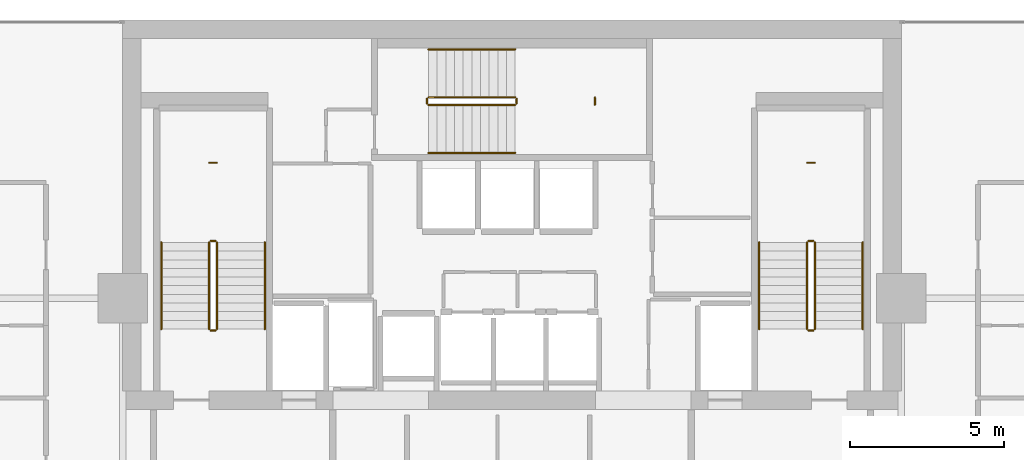
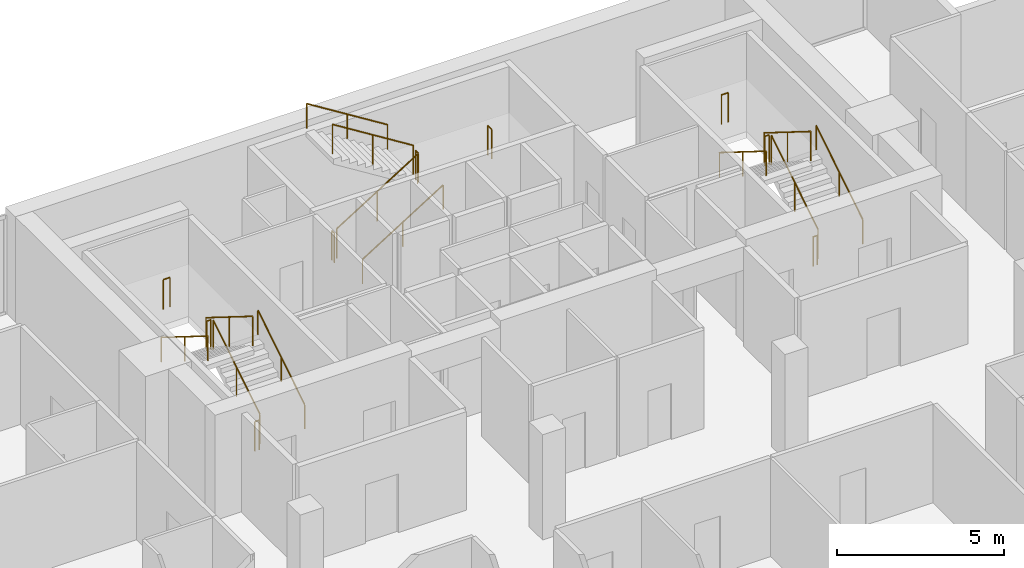
# One storey, part 26 of 26: 21 railings.
"""IFC4 building model written with IfcOpenShell, lengths in metres."""

from ifc_helpers import new_model, si_unit, direction, frame, origin, origin_2d, place, context, subcontext, project, spatial, circle, extrude, material, type_object, element, save


model = new_model("IFC4")

# Units and contexts
model_context = context("Model", 3, precision=1e-05, world=origin(), true_north=direction((0.0, 1.0)))
body_context = subcontext(model_context, "Body", "Model", "MODEL_VIEW")
ifc_project = project(units=[si_unit("LENGTHUNIT", "METRE"), si_unit("AREAUNIT", "SQUARE_METRE"), si_unit("VOLUMEUNIT", "CUBIC_METRE"), si_unit("PLANEANGLEUNIT", "RADIAN"), si_unit("MASSUNIT", "GRAM", prefix="KILO")], contexts=[model_context])

# Site, building, storey
site_placement = place(None, origin())
site = spatial("IfcSite", under=ifc_project, at=site_placement, CompositionType="ELEMENT")
building_placement = place(site_placement, origin())
building = spatial("IfcBuilding", under=site, at=building_placement, Name="Maruvema Waterfront Hotel and Observation Tower", CompositionType="ELEMENT")
storey_placement = place(building_placement, frame((0.0, 0.0, 254.800048828125)))
storey = spatial("IfcBuildingStorey", under=building, at=storey_placement, Name="L62", CompositionType="ELEMENT", Elevation=254.800048828125)

# Railings
ifc_material_1 = material(Name="Brushed stainless steel Grade 316", Category="steel")
railing_type_1 = type_object("IfcRailingType", Name="Ramp Continuous Wall Handrail 920 mm", PredefinedType="HANDRAIL", material=ifc_material_1)
railing_1_placement = place(storey_placement, frame((29.800048828125, 44.0, 0.175048828125)))
element("IfcRailing", 1, at=railing_1_placement, inside=storey, type_object=railing_type_1, Name="L62 ST-01 stair handrail 1", PredefinedType="HANDRAIL", context=body_context, shape_type="SweptSolid", body=[
    extrude(circle(Radius=0.02392578125, at=origin_2d()), frame((0.0, 0.0, 0.89599609375), z_axis=(0.0, 0.848002457836, 0.529992293815), x_axis=(-1.0, 0.0, 0.0)), (0.0, 0.0, 1.0), 3.302001953125),
    extrude(circle(Radius=0.02099609375, at=origin_2d()), origin(), (0.0, 0.0, 1.0), 0.871826171875),
    extrude(circle(Radius=0.02099609375, at=origin_2d()), frame((0.0, 1.39990234375, 0.875)), (0.0, 0.0, 1.0), 0.871826171875),
    extrude(circle(Radius=0.02099609375, at=origin_2d()), frame((0.0, 2.800048828125, 1.75)), (0.0, 0.0, 1.0), 0.871826171875),
])
railing_2_placement = place(storey_placement, frame((26.449951171875, 46.800048828125, 2.099853515625)))
element("IfcRailing", 2, at=railing_2_placement, inside=storey, type_object=railing_type_1, Name="L62 ST-01 stair handrail 2", PredefinedType="HANDRAIL", context=body_context, shape_type="SweptSolid", body=[
    extrude(circle(Radius=0.02392578125, at=origin_2d()), frame((0.0, 0.0, 0.89599609375), z_axis=(0.0, -0.848002457836, 0.529992293815), x_axis=(1.0, 0.0, 0.0)), (0.0, 0.0, 1.0), 3.302001953125),
    extrude(circle(Radius=0.02099609375, at=origin_2d()), origin(), (0.0, 0.0, 1.0), 0.871826171875),
    extrude(circle(Radius=0.02099609375, at=origin_2d()), frame((0.0, -1.39990234375, 0.875)), (0.0, 0.0, 1.0), 0.871826171875),
    extrude(circle(Radius=0.02099609375, at=origin_2d()), frame((0.0, -2.800048828125, 1.75)), (0.0, 0.0, 1.0), 0.871826171875),
])
railing_3_placement = place(storey_placement, frame((35.10009765625, 49.699951171875, 0.175048828125)))
element("IfcRailing", 3, at=railing_3_placement, inside=storey, type_object=railing_type_1, Name="L62 ST-02 stair handrail 1", PredefinedType="HANDRAIL", context=body_context, shape_type="SweptSolid", body=[
    extrude(circle(Radius=0.02392578125, at=origin_2d()), frame((0.0, 0.0, 0.89599609375), z_axis=(0.847981687118, 0.0, 0.530025526095), x_axis=(0.0, 1.0, 0.0)), (0.0, 0.0, 1.0), 3.3017578125),
    extrude(circle(Radius=0.02099609375, at=origin_2d()), origin(), (0.0, 0.0, 1.0), 0.871826171875),
    extrude(circle(Radius=0.02099609375, at=origin_2d()), frame((1.39990234375, 0.0, 0.875)), (0.0, 0.0, 1.0), 0.871826171875),
    extrude(circle(Radius=0.02099609375, at=origin_2d()), frame((2.7998046875, 0.0, 1.75)), (0.0, 0.0, 1.0), 0.871826171875),
])
railing_4_placement = place(storey_placement, frame((37.89990234375, 53.050048828125, 2.099853515625)))
element("IfcRailing", 4, at=railing_4_placement, inside=storey, type_object=railing_type_1, Name="L62 ST-02 stair handrail 2", PredefinedType="HANDRAIL", context=body_context, shape_type="SweptSolid", body=[
    extrude(circle(Radius=0.02392578125, at=origin_2d()), frame((0.0, 0.0, 0.89599609375), z_axis=(-0.847981687118, 0.0, 0.530025526095), x_axis=(0.0, -1.0, 0.0)), (0.0, 0.0, 1.0), 3.3017578125),
    extrude(circle(Radius=0.02099609375, at=origin_2d()), origin(), (0.0, 0.0, 1.0), 0.871826171875),
    extrude(circle(Radius=0.02099609375, at=origin_2d()), frame((-1.39990234375, 0.0, 0.875)), (0.0, 0.0, 1.0), 0.871826171875),
    extrude(circle(Radius=0.02099609375, at=origin_2d()), frame((-2.7998046875, 0.0, 1.75)), (0.0, 0.0, 1.0), 0.871826171875),
])
railing_5_placement = place(storey_placement, frame((49.14990234375, 44.0, 0.175048828125)))
element("IfcRailing", 5, at=railing_5_placement, inside=storey, type_object=railing_type_1, Name="L62 ST-03 stair handrail 1", PredefinedType="HANDRAIL", context=body_context, shape_type="SweptSolid", body=[
    extrude(circle(Radius=0.02392578125, at=origin_2d()), frame((0.0, 0.0, 0.89599609375), z_axis=(0.0, 0.848002457836, 0.529992293815), x_axis=(-1.0, 0.0, 0.0)), (0.0, 0.0, 1.0), 3.302001953125),
    extrude(circle(Radius=0.02099609375, at=origin_2d()), origin(), (0.0, 0.0, 1.0), 0.871826171875),
    extrude(circle(Radius=0.02099609375, at=origin_2d()), frame((0.0, 1.39990234375, 0.875)), (0.0, 0.0, 1.0), 0.871826171875),
    extrude(circle(Radius=0.02099609375, at=origin_2d()), frame((0.0, 2.800048828125, 1.75)), (0.0, 0.0, 1.0), 0.871826171875),
])
railing_6_placement = place(storey_placement, frame((45.800048828125, 46.800048828125, 2.099853515625)))
element("IfcRailing", 6, at=railing_6_placement, inside=storey, type_object=railing_type_1, Name="L62 ST-03 stair handrail 2", PredefinedType="HANDRAIL", context=body_context, shape_type="SweptSolid", body=[
    extrude(circle(Radius=0.02392578125, at=origin_2d()), frame((0.0, 0.0, 0.89599609375), z_axis=(0.0, -0.848002457836, 0.529992293815), x_axis=(1.0, 0.0, 0.0)), (0.0, 0.0, 1.0), 3.302001953125),
    extrude(circle(Radius=0.02099609375, at=origin_2d()), origin(), (0.0, 0.0, 1.0), 0.871826171875),
    extrude(circle(Radius=0.02099609375, at=origin_2d()), frame((0.0, -1.39990234375, 0.875)), (0.0, 0.0, 1.0), 0.871826171875),
    extrude(circle(Radius=0.02099609375, at=origin_2d()), frame((0.0, -2.800048828125, 1.75)), (0.0, 0.0, 1.0), 0.871826171875),
])
ifc_material_2 = material(Name="Brushed stainless steel Grade 316", Category="steel")
railing_type_2 = type_object("IfcRailingType", Name="Ramp and Terrace Guard Balustrade 1100 mm", PredefinedType="BALUSTRADE", material=ifc_material_2)
railing_7_placement = place(storey_placement, frame((28.25, 44.0, 0.175048828125)))
element("IfcRailing", 7, at=railing_7_placement, inside=storey, type_object=railing_type_2, Name="L62 ST-01 stair guard 1", PredefinedType="BALUSTRADE", context=body_context, shape_type="SweptSolid", body=[
    extrude(circle(Radius=0.02392578125, at=origin_2d()), frame((0.0, 0.0, 1.076171875), z_axis=(0.0, 0.848002457836, 0.529992293815), x_axis=(-1.0, 0.0, 0.0)), (0.0, 0.0, 1.0), 3.302001953125),
    extrude(circle(Radius=0.02099609375, at=origin_2d()), origin(), (0.0, 0.0, 1.0), 1.052001953125),
    extrude(circle(Radius=0.02099609375, at=origin_2d()), frame((0.0, 1.39990234375, 0.875)), (0.0, 0.0, 1.0), 1.052001953125),
    extrude(circle(Radius=0.02099609375, at=origin_2d()), frame((0.0, 2.800048828125, 1.75)), (0.0, 0.0, 1.0), 1.052001953125),
])
railing_8_placement = place(storey_placement, frame((28.199951171875, 46.85009765625, 1.925048828125)))
element("IfcRailing", 8, at=railing_8_placement, inside=storey, type_object=railing_type_2, Name="L62 ST-01 stair guard 2", PredefinedType="BALUSTRADE", context=body_context, shape_type="SweptSolid", body=[
    extrude(circle(Radius=0.02392578125, at=origin_2d()), frame((0.0, 0.0, 1.076171875), z_axis=(-1.0, 0.0, 0.0), x_axis=(0.0, -1.0, 0.0)), (0.0, 0.0, 1.0), 0.14990234375),
    extrude(circle(Radius=0.02099609375, at=origin_2d()), origin(), (0.0, 0.0, 1.0), 1.052001953125),
    extrude(circle(Radius=0.02099609375, at=origin_2d()), frame((-0.14990234375, 0.0, 0.0)), (0.0, 0.0, 1.0), 1.052001953125),
])
railing_9_placement = place(storey_placement, frame((28.0, 46.800048828125, 2.099853515625)))
element("IfcRailing", 9, at=railing_9_placement, inside=storey, type_object=railing_type_2, Name="L62 ST-01 stair guard 3", PredefinedType="BALUSTRADE", context=body_context, shape_type="SweptSolid", body=[
    extrude(circle(Radius=0.02392578125, at=origin_2d()), frame((0.0, 0.0, 1.076171875), z_axis=(0.0, -0.848002457836, 0.529992293815), x_axis=(1.0, 0.0, 0.0)), (0.0, 0.0, 1.0), 3.302001953125),
    extrude(circle(Radius=0.02099609375, at=origin_2d()), origin(), (0.0, 0.0, 1.0), 1.052001953125),
    extrude(circle(Radius=0.02099609375, at=origin_2d()), frame((0.0, -1.39990234375, 0.875)), (0.0, 0.0, 1.0), 1.052001953125),
    extrude(circle(Radius=0.02099609375, at=origin_2d()), frame((0.0, -2.800048828125, 1.75)), (0.0, 0.0, 1.0), 1.052001953125),
])
railing_10_placement = place(storey_placement, frame((28.199951171875, 43.949951171875, 0.0)))
element("IfcRailing", 10, at=railing_10_placement, inside=storey, type_object=railing_type_2, Name="L62 ST-01 stair guard 4", PredefinedType="BALUSTRADE", context=body_context, shape_type="SweptSolid", body=[
    extrude(circle(Radius=0.02392578125, at=origin_2d()), frame((0.0, 0.0, 1.076171875), z_axis=(-1.0, 0.0, 0.0), x_axis=(0.0, -1.0, 0.0)), (0.0, 0.0, 1.0), 0.14990234375),
    extrude(circle(Radius=0.02099609375, at=origin_2d()), origin(), (0.0, 0.0, 1.0), 1.052001953125),
    extrude(circle(Radius=0.02099609375, at=origin_2d()), frame((-0.14990234375, 0.0, 0.0)), (0.0, 0.0, 1.0), 1.052001953125),
])
railing_11_placement = place(storey_placement, frame((28.239990234375, 49.3798828125, 1.925048828125)))
element("IfcRailing", 11, at=railing_11_placement, inside=storey, type_object=railing_type_2, Name="L62 ST-01 Half-Landing Slot Guard", PredefinedType="BALUSTRADE", context=body_context, shape_type="SweptSolid", body=[
    extrude(circle(Radius=0.02392578125, at=origin_2d()), frame((0.0, 0.0, 1.076171875), z_axis=(-1.0, 0.0, 0.0), x_axis=(0.0, -1.0, 0.0)), (0.0, 0.0, 1.0), 0.22998046875),
    extrude(circle(Radius=0.02099609375, at=origin_2d()), origin(), (0.0, 0.0, 1.0), 1.052001953125),
    extrude(circle(Radius=0.02099609375, at=origin_2d()), frame((-0.22998046875, 0.0, 0.0)), (0.0, 0.0, 1.0), 1.052001953125),
])
railing_12_placement = place(storey_placement, frame((35.10009765625, 51.25, 0.175048828125)))
element("IfcRailing", 12, at=railing_12_placement, inside=storey, type_object=railing_type_2, Name="L62 ST-02 stair guard 1", PredefinedType="BALUSTRADE", context=body_context, shape_type="SweptSolid", body=[
    extrude(circle(Radius=0.02392578125, at=origin_2d()), frame((0.0, 0.0, 1.076171875), z_axis=(0.847981687118, 0.0, 0.530025526095), x_axis=(0.0, 1.0, 0.0)), (0.0, 0.0, 1.0), 3.3017578125),
    extrude(circle(Radius=0.02099609375, at=origin_2d()), origin(), (0.0, 0.0, 1.0), 1.052001953125),
    extrude(circle(Radius=0.02099609375, at=origin_2d()), frame((1.39990234375, 0.0, 0.875)), (0.0, 0.0, 1.0), 1.052001953125),
    extrude(circle(Radius=0.02099609375, at=origin_2d()), frame((2.7998046875, 0.0, 1.75)), (0.0, 0.0, 1.0), 1.052001953125),
])
railing_13_placement = place(storey_placement, frame((37.949951171875, 51.300048828125, 1.925048828125)))
element("IfcRailing", 13, at=railing_13_placement, inside=storey, type_object=railing_type_2, Name="L62 ST-02 stair guard 2", PredefinedType="BALUSTRADE", context=body_context, shape_type="SweptSolid", body=[
    extrude(circle(Radius=0.02392578125, at=origin_2d()), frame((0.0, 0.0, 1.076171875), z_axis=(0.0, 1.0, 0.0), x_axis=(-1.0, 0.0, 0.0)), (0.0, 0.0, 1.0), 0.14990234375),
    extrude(circle(Radius=0.02099609375, at=origin_2d()), origin(), (0.0, 0.0, 1.0), 1.052001953125),
    extrude(circle(Radius=0.02099609375, at=origin_2d()), frame((0.0, 0.14990234375, 0.0)), (0.0, 0.0, 1.0), 1.052001953125),
])
railing_14_placement = place(storey_placement, frame((37.89990234375, 51.5, 2.099853515625)))
element("IfcRailing", 14, at=railing_14_placement, inside=storey, type_object=railing_type_2, Name="L62 ST-02 stair guard 3", PredefinedType="BALUSTRADE", context=body_context, shape_type="SweptSolid", body=[
    extrude(circle(Radius=0.02392578125, at=origin_2d()), frame((0.0, 0.0, 1.076171875), z_axis=(-0.847981687118, 0.0, 0.530025526095), x_axis=(0.0, -1.0, 0.0)), (0.0, 0.0, 1.0), 3.3017578125),
    extrude(circle(Radius=0.02099609375, at=origin_2d()), origin(), (0.0, 0.0, 1.0), 1.052001953125),
    extrude(circle(Radius=0.02099609375, at=origin_2d()), frame((-1.39990234375, 0.0, 0.875)), (0.0, 0.0, 1.0), 1.052001953125),
    extrude(circle(Radius=0.02099609375, at=origin_2d()), frame((-2.7998046875, 0.0, 1.75)), (0.0, 0.0, 1.0), 1.052001953125),
])
railing_15_placement = place(storey_placement, frame((35.050048828125, 51.300048828125, 0.0)))
element("IfcRailing", 15, at=railing_15_placement, inside=storey, type_object=railing_type_2, Name="L62 ST-02 stair guard 4", PredefinedType="BALUSTRADE", context=body_context, shape_type="SweptSolid", body=[
    extrude(circle(Radius=0.02392578125, at=origin_2d()), frame((0.0, 0.0, 1.076171875), z_axis=(0.0, 1.0, 0.0), x_axis=(-1.0, 0.0, 0.0)), (0.0, 0.0, 1.0), 0.14990234375),
    extrude(circle(Radius=0.02099609375, at=origin_2d()), origin(), (0.0, 0.0, 1.0), 1.052001953125),
    extrude(circle(Radius=0.02099609375, at=origin_2d()), frame((0.0, 0.14990234375, 0.0)), (0.0, 0.0, 1.0), 1.052001953125),
])
railing_16_placement = place(storey_placement, frame((40.47998046875, 51.260009765625, 1.925048828125)))
element("IfcRailing", 16, at=railing_16_placement, inside=storey, type_object=railing_type_2, Name="L62 ST-02 Half-Landing Slot Guard", PredefinedType="BALUSTRADE", context=body_context, shape_type="SweptSolid", body=[
    extrude(circle(Radius=0.02392578125, at=origin_2d()), frame((0.0, 0.0, 1.076171875), z_axis=(0.0, 1.0, 0.0), x_axis=(-1.0, 0.0, 0.0)), (0.0, 0.0, 1.0), 0.22998046875),
    extrude(circle(Radius=0.02099609375, at=origin_2d()), origin(), (0.0, 0.0, 1.0), 1.052001953125),
    extrude(circle(Radius=0.02099609375, at=origin_2d()), frame((0.0, 0.22998046875, 0.0)), (0.0, 0.0, 1.0), 1.052001953125),
])
railing_17_placement = place(storey_placement, frame((47.60009765625, 44.0, 0.175048828125)))
element("IfcRailing", 17, at=railing_17_placement, inside=storey, type_object=railing_type_2, Name="L62 ST-03 stair guard 1", PredefinedType="BALUSTRADE", context=body_context, shape_type="SweptSolid", body=[
    extrude(circle(Radius=0.02392578125, at=origin_2d()), frame((0.0, 0.0, 1.076171875), z_axis=(0.0, 0.848002457836, 0.529992293815), x_axis=(-1.0, 0.0, 0.0)), (0.0, 0.0, 1.0), 3.302001953125),
    extrude(circle(Radius=0.02099609375, at=origin_2d()), origin(), (0.0, 0.0, 1.0), 1.052001953125),
    extrude(circle(Radius=0.02099609375, at=origin_2d()), frame((0.0, 1.39990234375, 0.875)), (0.0, 0.0, 1.0), 1.052001953125),
    extrude(circle(Radius=0.02099609375, at=origin_2d()), frame((0.0, 2.800048828125, 1.75)), (0.0, 0.0, 1.0), 1.052001953125),
])
railing_18_placement = place(storey_placement, frame((47.550048828125, 46.85009765625, 1.925048828125)))
element("IfcRailing", 18, at=railing_18_placement, inside=storey, type_object=railing_type_2, Name="L62 ST-03 stair guard 2", PredefinedType="BALUSTRADE", context=body_context, shape_type="SweptSolid", body=[
    extrude(circle(Radius=0.02392578125, at=origin_2d()), frame((0.0, 0.0, 1.076171875), z_axis=(-1.0, 0.0, 0.0), x_axis=(0.0, -1.0, 0.0)), (0.0, 0.0, 1.0), 0.150146484375),
    extrude(circle(Radius=0.02099609375, at=origin_2d()), origin(), (0.0, 0.0, 1.0), 1.052001953125),
    extrude(circle(Radius=0.02099609375, at=origin_2d()), frame((-0.150146484375, 0.0, 0.0)), (0.0, 0.0, 1.0), 1.052001953125),
])
railing_19_placement = place(storey_placement, frame((47.35009765625, 46.800048828125, 2.099853515625)))
element("IfcRailing", 19, at=railing_19_placement, inside=storey, type_object=railing_type_2, Name="L62 ST-03 stair guard 3", PredefinedType="BALUSTRADE", context=body_context, shape_type="SweptSolid", body=[
    extrude(circle(Radius=0.02392578125, at=origin_2d()), frame((0.0, 0.0, 1.076171875), z_axis=(0.0, -0.848002457836, 0.529992293815), x_axis=(1.0, 0.0, 0.0)), (0.0, 0.0, 1.0), 3.302001953125),
    extrude(circle(Radius=0.02099609375, at=origin_2d()), origin(), (0.0, 0.0, 1.0), 1.052001953125),
    extrude(circle(Radius=0.02099609375, at=origin_2d()), frame((0.0, -1.39990234375, 0.875)), (0.0, 0.0, 1.0), 1.052001953125),
    extrude(circle(Radius=0.02099609375, at=origin_2d()), frame((0.0, -2.800048828125, 1.75)), (0.0, 0.0, 1.0), 1.052001953125),
])
railing_20_placement = place(storey_placement, frame((47.550048828125, 43.949951171875, 0.0)))
element("IfcRailing", 20, at=railing_20_placement, inside=storey, type_object=railing_type_2, Name="L62 ST-03 stair guard 4", PredefinedType="BALUSTRADE", context=body_context, shape_type="SweptSolid", body=[
    extrude(circle(Radius=0.02392578125, at=origin_2d()), frame((0.0, 0.0, 1.076171875), z_axis=(-1.0, 0.0, 0.0), x_axis=(0.0, -1.0, 0.0)), (0.0, 0.0, 1.0), 0.150146484375),
    extrude(circle(Radius=0.02099609375, at=origin_2d()), origin(), (0.0, 0.0, 1.0), 1.052001953125),
    extrude(circle(Radius=0.02099609375, at=origin_2d()), frame((-0.150146484375, 0.0, 0.0)), (0.0, 0.0, 1.0), 1.052001953125),
])
railing_21_placement = place(storey_placement, frame((47.590087890625, 49.3798828125, 1.925048828125)))
element("IfcRailing", 21, at=railing_21_placement, inside=storey, type_object=railing_type_2, Name="L62 ST-03 Half-Landing Slot Guard", PredefinedType="BALUSTRADE", context=body_context, shape_type="SweptSolid", body=[
    extrude(circle(Radius=0.02392578125, at=origin_2d()), frame((0.0, 0.0, 1.076171875), z_axis=(-1.0, 0.0, 0.0), x_axis=(0.0, -1.0, 0.0)), (0.0, 0.0, 1.0), 0.22998046875),
    extrude(circle(Radius=0.02099609375, at=origin_2d()), origin(), (0.0, 0.0, 1.0), 1.052001953125),
    extrude(circle(Radius=0.02099609375, at=origin_2d()), frame((-0.22998046875, 0.0, 0.0)), (0.0, 0.0, 1.0), 1.052001953125),
])

save(model, "model.ifc")
